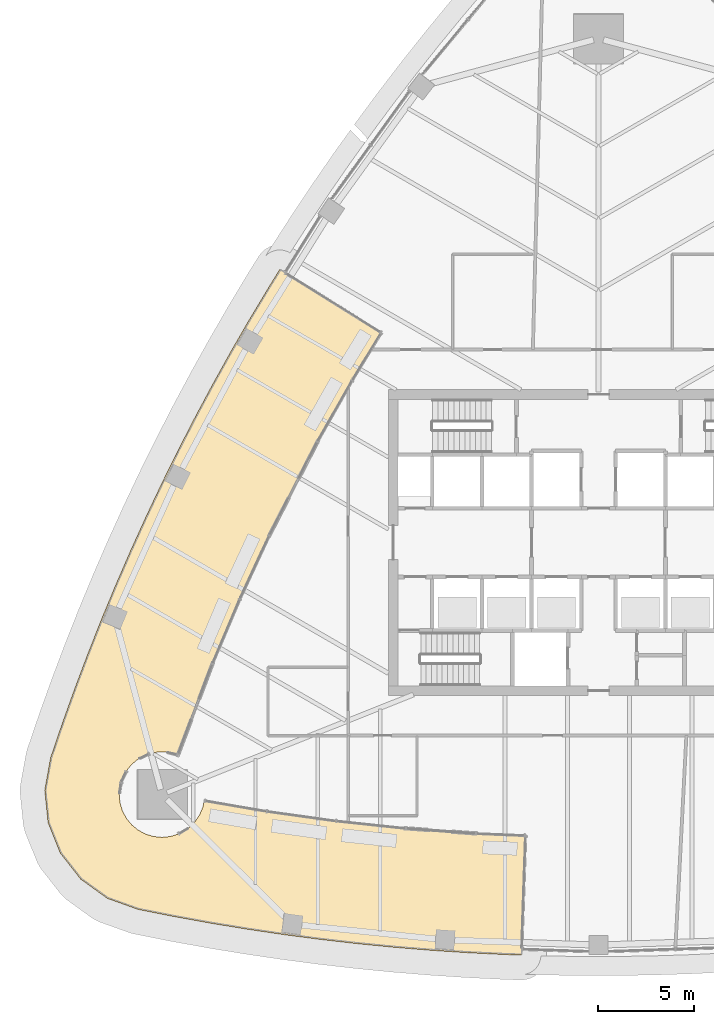
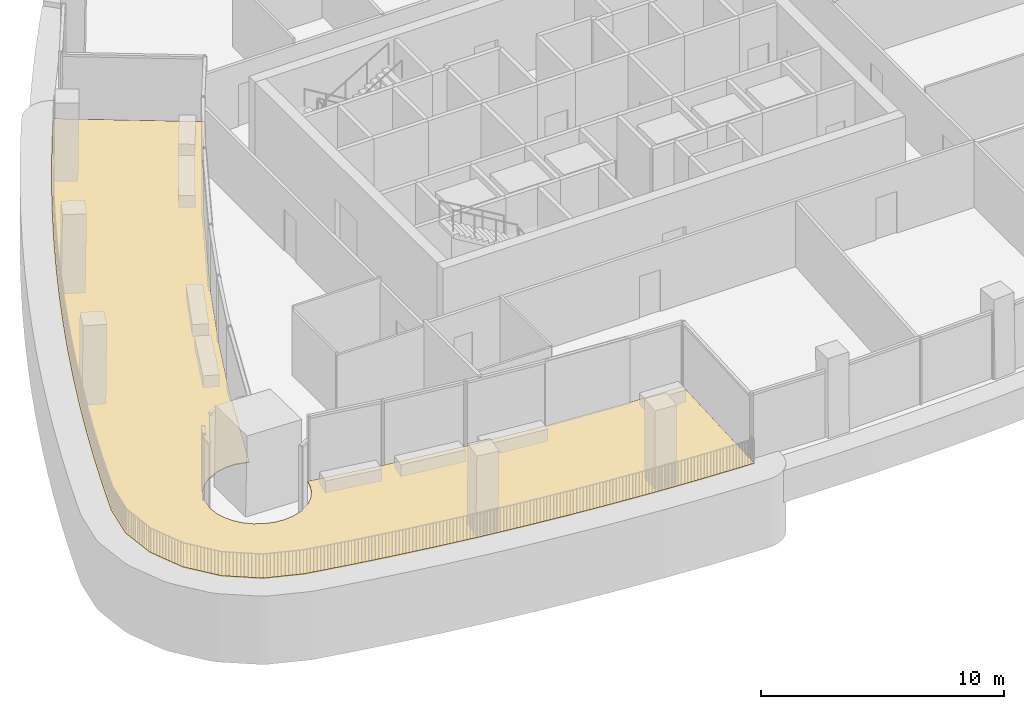
# One storey, part 14 of 18: 1 covering.
"""IFC4 building model written with IfcOpenShell, lengths in metres."""

from ifc_helpers import new_model, si_unit, direction, frame, origin, place, context, subcontext, project, spatial, polyline, outline, extrude, material, layer, layer_set, type_object, element, save


model = new_model("IFC4")

# Units and contexts
model_context = context("Model", 3, precision=1e-05, world=origin(), true_north=direction((0.0, 1.0)))
body_context = subcontext(model_context, "Body", "Model", "MODEL_VIEW")
ifc_project = project(units=[si_unit("LENGTHUNIT", "METRE"), si_unit("AREAUNIT", "SQUARE_METRE"), si_unit("VOLUMEUNIT", "CUBIC_METRE"), si_unit("PLANEANGLEUNIT", "RADIAN"), si_unit("MASSUNIT", "GRAM", prefix="KILO")], contexts=[model_context])

# Site, building, storey
site_placement = place(None, origin())
site = spatial("IfcSite", under=ifc_project, at=site_placement, CompositionType="ELEMENT")
building_placement = place(site_placement, origin())
building = spatial("IfcBuilding", under=site, at=building_placement, Name="Sierra Prisma Convention Tower", CompositionType="ELEMENT")
storey_placement = place(building_placement, frame((0.0, 0.0, 205.800048828125)))
storey = spatial("IfcBuildingStorey", under=building, at=storey_placement, Name="L46", CompositionType="ELEMENT", Elevation=205.800048828125)

# Covering
ifc_material = material(Name="Porcelain stoneware paving", Category="masonry")
ifc_layer = layer(ifc_material, 0.0400390625)
ifc_layer_set = layer_set([ifc_layer], Name="Terrace paving")
covering_type = type_object("IfcCoveringType", Name="Terrace paving", PredefinedType="FLOORING", material=ifc_layer_set)
covering_placement = place(storey_placement, origin())
element("IfcCovering", 1, at=covering_placement, inside=storey, type_object=covering_type, Name="Terrace paving L46", PredefinedType="FLOORING", context=body_context, shape_type="SweptSolid", body=[
    extrude(outline(polyline([(-16.6875, 14.294921875), (-17.28173828125, 13.3388671875), (-18.279296875, 11.674072265625), (-19.249755859375, 9.993408203125), (-20.192626953125, 8.296875), (-21.10791015625, 6.585205078125), (-21.9951171875, 4.859130859375), (-22.85400390625, 3.11865234375), (-23.684326171875, 1.3642578125), (-24.486083984375, -0.4033203125), (-25.2587890625, -2.18359375), (-26.00244140625, -3.976318359375), (-26.717041015625, -5.781005859375), (-27.40185546875, -7.59716796875), (-28.05712890625, -9.424072265625), (-28.682373046875, -11.261474609375), (-28.989501953125, -12.955322265625), (-28.814453125, -14.667724609375), (-28.171142578125, -16.2646484375), (-27.10986328125, -17.6201171875), (-25.71435546875, -18.6279296875), (-24.09375, -19.208984375), (-22.18994140625, -19.586181640625), (-20.2802734375, -19.93212890625), (-18.364990234375, -20.2470703125), (-16.445068359375, -20.53076171875), (-14.5205078125, -20.782958984375), (-12.59228515625, -21.00390625), (-10.66064453125, -21.193359375), (-8.726318359375, -21.351318359375), (-6.78955078125, -21.477783203125), (-4.850830078125, -21.572509765625), (-4.035888671875, -21.59912109375), (-3.823974609375, -15.346435546875), (-6.43310546875, -15.23779296875), (-10.101318359375, -14.96826171875), (-13.758544921875, -14.579345703125), (-17.4013671875, -14.071533203125), (-20.638671875, -13.515380859375), (-20.708984375, -13.843017578125), (-20.876953125, -14.248291015625), (-21.120849609375, -14.61328125), (-21.43115234375, -14.923583984375), (-21.99462890625, -15.26123046875), (-22.41455078125, -15.388671875), (-22.85107421875, -15.431640625), (-23.287841796875, -15.388671875), (-23.707763671875, -15.26123046875), (-24.0947265625, -15.054443359375), (-24.43408203125, -14.77587890625), (-24.71240234375, -14.436767578125), (-24.919189453125, -14.0498046875), (-25.046630859375, -13.6298828125), (-25.089599609375, -13.193115234375), (-24.9931640625, -12.54345703125), (-24.71240234375, -11.949462890625), (-24.43408203125, -11.6103515625), (-24.0947265625, -11.331787109375), (-23.5009765625, -11.051025390625), (-23.070556640625, -10.96533203125), (-22.6318359375, -10.96533203125), (-22.023681640625, -11.11474609375), (-20.2099609375, -6.32421875), (-18.773193359375, -2.9384765625), (-17.2265625, 0.3984375), (-14.705078125, 5.304931640625), (-12.89208984375, 8.505126953125), (-11.37646484375, 10.983642578125), (-16.6875, 14.294921875)])), origin(), (0.0, 0.0, 1.0), 0.0400390625),
])

save(model, "model.ifc")
